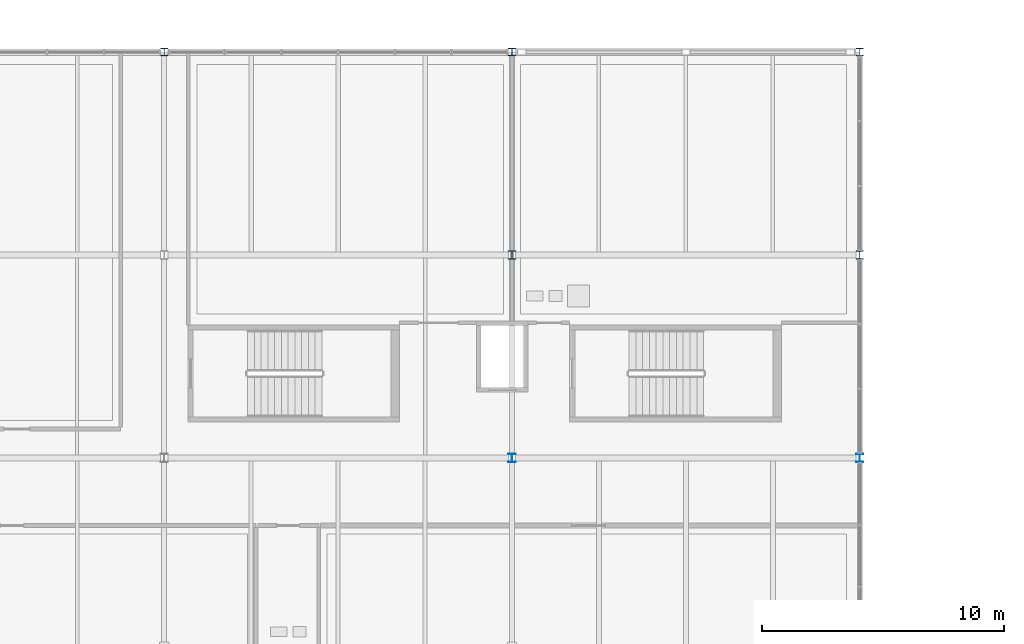
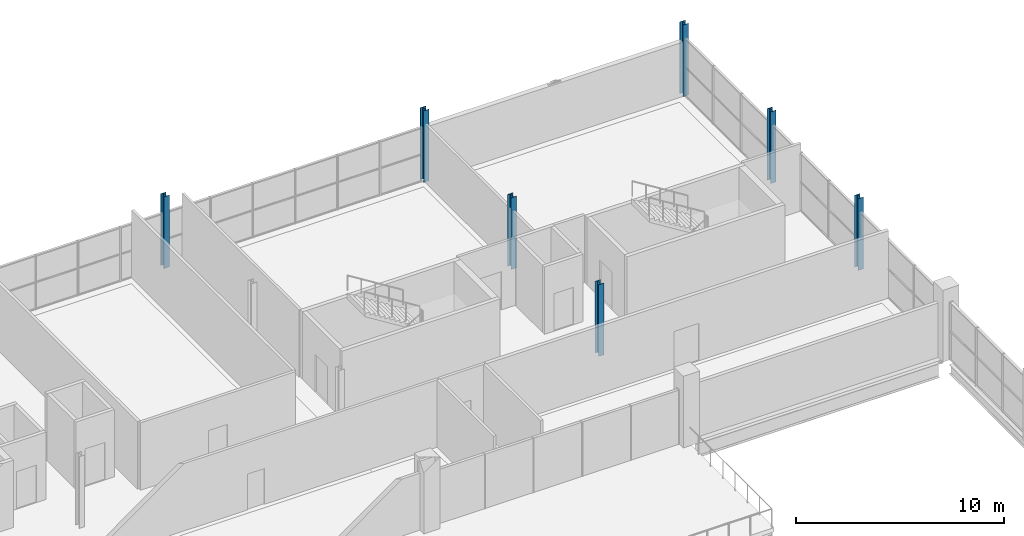
# One storey, part 8 of 93: 7 columns.
"""IFC4 building model written with IfcOpenShell, lengths in metres."""

from ifc_helpers import new_model, si_unit, direction, frame, origin, origin_2d, place, context, subcontext, project, spatial, i_section, extrude, material, material_profile, profile_set, type_object, element, save


model = new_model("IFC4")

# Units and contexts
model_context = context("Model", 3, precision=1e-05, world=origin(), true_north=direction((0.0, 1.0)))
body_context = subcontext(model_context, "Body", "Model", "MODEL_VIEW")
ifc_project = project(units=[si_unit("LENGTHUNIT", "METRE"), si_unit("AREAUNIT", "SQUARE_METRE"), si_unit("VOLUMEUNIT", "CUBIC_METRE"), si_unit("PLANEANGLEUNIT", "RADIAN"), si_unit("MASSUNIT", "GRAM", prefix="KILO"), si_unit("THERMODYNAMICTEMPERATUREUNIT", "KELVIN")], contexts=[model_context])

# Site, building, storey
site_placement = place(None, origin())
site = spatial("IfcSite", under=ifc_project, at=site_placement, CompositionType="ELEMENT")
building_placement = place(site_placement, origin())
building = spatial("IfcBuilding", under=site, at=building_placement, Name="Nduvali Passage Aquatics Centre", CompositionType="ELEMENT")
storey_placement = place(building_placement, frame((0.0, 0.0, 9.0)))
storey = spatial("IfcBuildingStorey", under=building, at=storey_placement, Name="L02", CompositionType="ELEMENT", Elevation=9.0)

# Columns
ifc_material = material(Name="Steel S355", Category="steel")
ifc_material_profile_1 = material_profile(ifc_material, i_section(OverallWidth=0.300048828125, OverallDepth=0.35009765625, WebThickness=0.010009765625, FlangeThickness=0.017578125, FilletRadius=0.027099609375, at=origin_2d()), Name="HEA 360")
ifc_profile_set_1 = profile_set([ifc_material_profile_1], Name="Steel S355")
column_type_1 = type_object("IfcColumnType", Name="STR-COL-HEA360", PredefinedType="COLUMN", material=ifc_profile_set_1)
column_1_placement = place(storey_placement, frame((111.60009765625, 100.800048828125, 0.0), z_axis=(0.0, 0.0, 1.0), x_axis=(1.0, 0.0, 0.0)))
element("IfcColumn", 1, at=column_1_placement, inside=storey, type_object=column_type_1, Name="L02 Column C8A (111.6, 100.8)", PredefinedType="COLUMN", context=body_context, shape_type="SweptSolid", body=[
    extrude(i_section(OverallWidth=0.300048828125, OverallDepth=0.35009765625, WebThickness=0.010009765625, FlangeThickness=0.017578125, FilletRadius=0.027099609375, at=origin_2d()), origin(), (0.0, 0.0, 1.0), 4.199951171875),
])
ifc_material_profile_2 = material_profile(ifc_material, i_section(OverallWidth=0.300048828125, OverallDepth=0.35009765625, WebThickness=0.010009765625, FlangeThickness=0.017578125, FilletRadius=0.027099609375, at=origin_2d()), Name="HEA 360")
ifc_profile_set_2 = profile_set([ifc_material_profile_2], Name="Steel S355")
column_type_2 = type_object("IfcColumnType", Name="STR-COL-HEA360-EXT", PredefinedType="COLUMN", material=ifc_profile_set_2)
column_2_placement = place(storey_placement, frame((126.0, 100.800048828125, 0.0), z_axis=(0.0, 0.0, 1.0), x_axis=(1.0, 0.0, 0.0)))
element("IfcColumn", 2, at=column_2_placement, inside=storey, type_object=column_type_2, Name="L02 Column C8AE (126.0, 100.8)", PredefinedType="COLUMN", context=body_context, shape_type="SweptSolid", body=[
    extrude(i_section(OverallWidth=0.300048828125, OverallDepth=0.35009765625, WebThickness=0.010009765625, FlangeThickness=0.017578125, FilletRadius=0.027099609375, at=origin_2d()), origin(), (0.0, 0.0, 1.0), 4.199951171875),
])
ifc_material_profile_3 = material_profile(ifc_material, i_section(OverallWidth=0.300048828125, OverallDepth=0.320068359375, WebThickness=0.011474609375, FlangeThickness=0.0205078125, FilletRadius=0.027099609375, at=origin_2d()), Name="HEB 320")
ifc_profile_set_3 = profile_set([ifc_material_profile_3], Name="Steel S355")
column_type_3 = type_object("IfcColumnType", Name="STR-COL-HEB320-EXT", PredefinedType="COLUMN", material=ifc_profile_set_3)
for number, where, z_axis, x_axis, name in (
    (3, (97.199951171875, 117.60009765625, 0.0), (0.0, 0.0, 1.0), (1.0, 0.0, 0.0), "L02 Column C7CE (97.2, 117.6)"),
    (4, (111.60009765625, 117.60009765625, 0.0), (0.0, 0.0, 1.0), (1.0, 0.0, 0.0), "L02 Column C7CE (111.6, 117.6)"),
    (5, (126.0, 117.60009765625, 0.0), (0.0, 0.0, 1.0), (1.0, 0.0, 0.0), "L02 Column C7CE (126.0, 117.6)"),
):
    element("IfcColumn", number, at=place(storey_placement, frame(where, z_axis=z_axis, x_axis=x_axis)), inside=storey, type_object=column_type_3, Name=name, PredefinedType="COLUMN", context=body_context, shape_type="SweptSolid", body=[
        extrude(i_section(OverallWidth=0.300048828125, OverallDepth=0.320068359375, WebThickness=0.011474609375, FlangeThickness=0.0205078125, FilletRadius=0.027099609375, at=origin_2d()), origin(), (0.0, 0.0, 1.0), 4.199951171875),
    ])
ifc_material_profile_4 = material_profile(ifc_material, i_section(OverallWidth=0.300048828125, OverallDepth=0.340087890625, WebThickness=0.011962890625, FlangeThickness=0.021484375, FilletRadius=0.027099609375, at=origin_2d()), Name="HEB 340")
ifc_profile_set_4 = profile_set([ifc_material_profile_4], Name="Steel S355")
column_type_4 = type_object("IfcColumnType", Name="STR-COL-HEB340", PredefinedType="COLUMN", material=ifc_profile_set_4)
column_3_placement = place(storey_placement, frame((111.60009765625, 109.199951171875, 0.0), z_axis=(0.0, 0.0, 1.0), x_axis=(1.0, 0.0, 0.0)))
element("IfcColumn", 6, at=column_3_placement, inside=storey, type_object=column_type_4, Name="L02 Column C7 (111.6, 109.2)", PredefinedType="COLUMN", context=body_context, shape_type="SweptSolid", body=[
    extrude(i_section(OverallWidth=0.300048828125, OverallDepth=0.340087890625, WebThickness=0.011962890625, FlangeThickness=0.021484375, FilletRadius=0.027099609375, at=origin_2d()), origin(), (0.0, 0.0, 1.0), 4.199951171875),
])
ifc_material_profile_5 = material_profile(ifc_material, i_section(OverallWidth=0.300048828125, OverallDepth=0.340087890625, WebThickness=0.011962890625, FlangeThickness=0.021484375, FilletRadius=0.027099609375, at=origin_2d()), Name="HEB 340")
ifc_profile_set_5 = profile_set([ifc_material_profile_5], Name="Steel S355")
column_type_5 = type_object("IfcColumnType", Name="STR-COL-HEB340-EXT", PredefinedType="COLUMN", material=ifc_profile_set_5)
column_4_placement = place(storey_placement, frame((126.0, 109.199951171875, 0.0), z_axis=(0.0, 0.0, 1.0), x_axis=(1.0, 0.0, 0.0)))
element("IfcColumn", 7, at=column_4_placement, inside=storey, type_object=column_type_5, Name="L02 Column C7E (126.0, 109.2)", PredefinedType="COLUMN", context=body_context, shape_type="SweptSolid", body=[
    extrude(i_section(OverallWidth=0.300048828125, OverallDepth=0.340087890625, WebThickness=0.011962890625, FlangeThickness=0.021484375, FilletRadius=0.027099609375, at=origin_2d()), origin(), (0.0, 0.0, 1.0), 4.199951171875),
])

save(model, "model.ifc")
